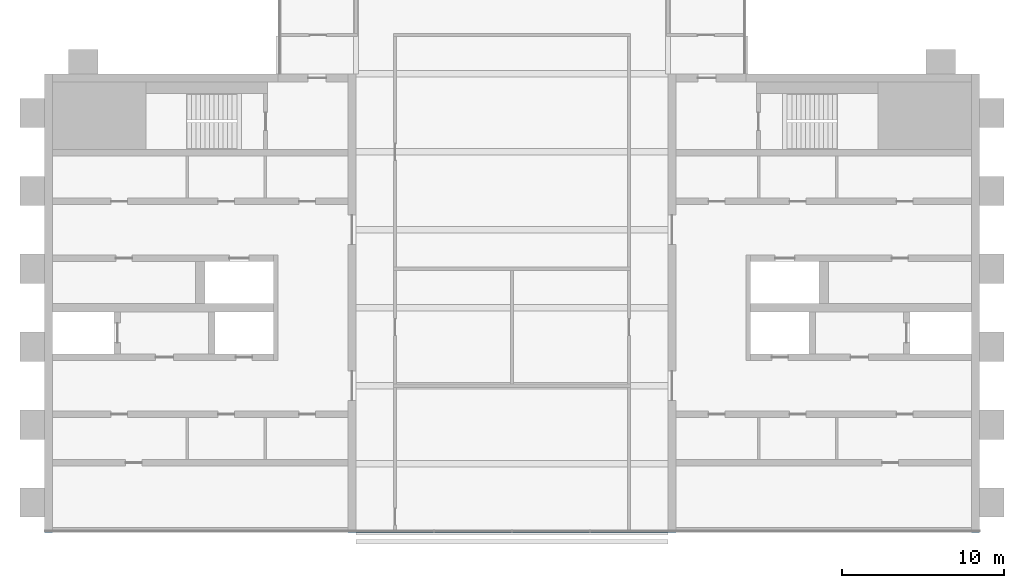
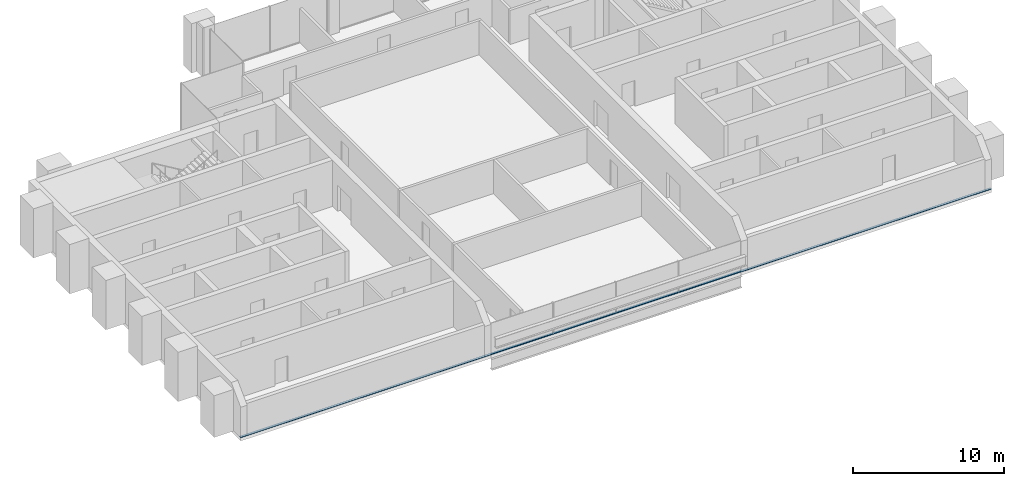
# One storey, part 3 of 12: 1 member, 1 element without a shape of its own.
"""IFC4 building model written with IfcOpenShell, lengths in metres."""

from ifc_helpers import new_model, si_unit, direction, frame, origin, origin_2d, place, context, subcontext, project, spatial, rectangle, extrude, material, material_profile, profile_set, type_object, element, aggregate, save


model = new_model("IFC4")

# Units and contexts
model_context = context("Model", 3, precision=1e-05, world=origin(), true_north=direction((0.0, 1.0)))
body_context = subcontext(model_context, "Body", "Model", "MODEL_VIEW")
ifc_project = project(units=[si_unit("LENGTHUNIT", "METRE"), si_unit("AREAUNIT", "SQUARE_METRE"), si_unit("VOLUMEUNIT", "CUBIC_METRE"), si_unit("PLANEANGLEUNIT", "RADIAN"), si_unit("MASSUNIT", "GRAM", prefix="KILO")], contexts=[model_context])

# Site, building, storey
site_placement = place(None, origin())
site = spatial("IfcSite", under=ifc_project, at=site_placement, CompositionType="ELEMENT")
building_placement = place(site_placement, origin())
building = spatial("IfcBuilding", under=site, at=building_placement, Name="Baori Bourse Tower", CompositionType="ELEMENT")
storey_placement = place(building_placement, frame((0.0, 0.0, 370.300048828125)))
storey = spatial("IfcBuildingStorey", under=building, at=storey_placement, Name="L83", CompositionType="ELEMENT", Elevation=370.300048828125)

# Curtain wall, member
ifc_material_1 = material(Name="Pale anodised aluminium", Category="aluminium")
curtain_wall_type = type_object("IfcCurtainWallType", Name="CW3 Curtain wall", PredefinedType="NOTDEFINED", material=ifc_material_1)
curtain_wall_placement = place(storey_placement, origin())
curtain_wall = element("IfcCurtainWall", 1, at=curtain_wall_placement, inside=storey, type_object=curtain_wall_type, Name="Curtain wall CW3 L83 1", PredefinedType="NOTDEFINED")
ifc_material_2 = material(Name="Pale anodised aluminium", Category="aluminium")
ifc_material_profile = material_profile(ifc_material_2, rectangle(XDim=0.159912109375, YDim=0.06005859375, at=origin_2d()), Name="Transom 60x160")
ifc_profile_set = profile_set([ifc_material_profile], Name="Pale anodised aluminium")
member_type = type_object("IfcMemberType", Name="CW3 Curtain wall transom", PredefinedType="USERDEFINED", material=ifc_profile_set)
member_placement = place(storey_placement, frame((0.0, 10.2529296875, 0.030029296875), z_axis=(1.0, 0.0, 0.0), x_axis=(0.0, 1.0, 0.0)))
member = element("IfcMember", 2, at=member_placement, type_object=member_type, Name="Curtain wall CW3 sill rail", ObjectType="TRANSOM", PredefinedType="USERDEFINED", context=body_context, shape_type="SweptSolid", body=[
    extrude(rectangle(XDim=0.159912109375, YDim=0.06005859375, at=origin_2d()), origin(), (0.0, 0.0, 1.0), 57.60009765625),
])
aggregate(curtain_wall, [member])

save(model, "model.ifc")
